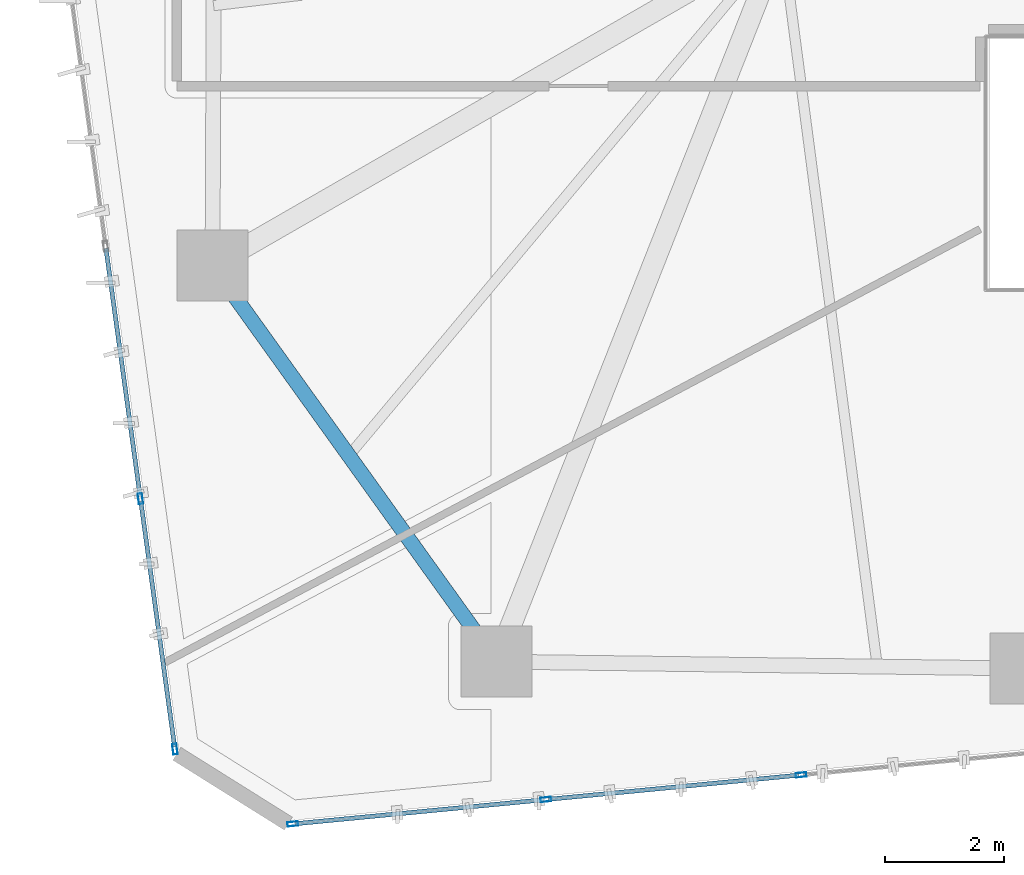
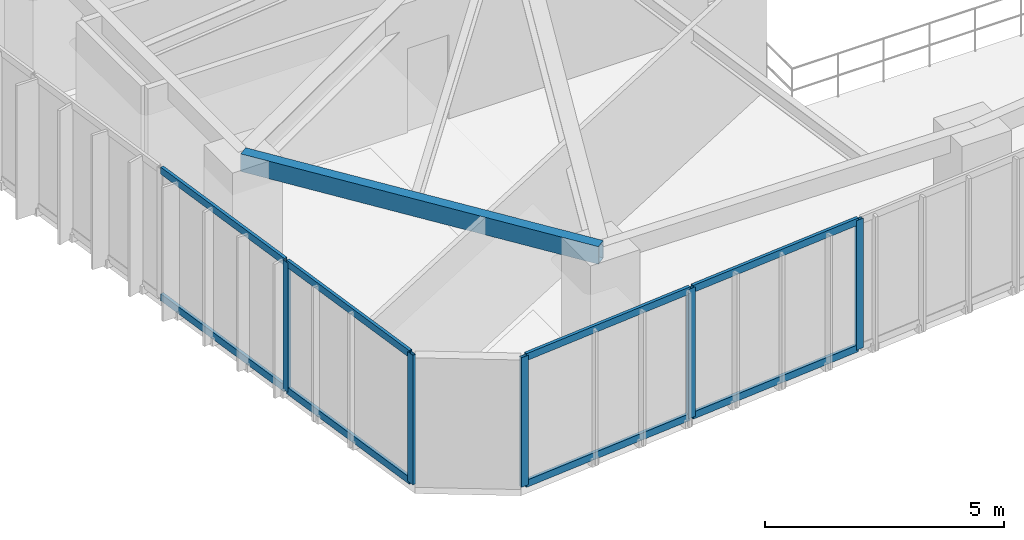
# One storey, part 2 of 22: 13 members, 1 beam, 2 elements without a shape of their own.
"""IFC4 building model written with IfcOpenShell, lengths in metres."""

from ifc_helpers import new_model, si_unit, direction, frame, origin, origin_2d, place, context, subcontext, project, spatial, hollow_rectangle, extrude, source, transform, mapped, material, layer, layer_set, material_profile, profile_set, type_object, type_shapes, element, aggregate, save


model = new_model("IFC4")

# Units and contexts
model_context = context("Model", 3, precision=1e-05, world=origin(), true_north=direction((0.0, 1.0)))
body_context = subcontext(model_context, "Body", "Model", "MODEL_VIEW")
ifc_project = project(units=[si_unit("LENGTHUNIT", "METRE"), si_unit("AREAUNIT", "SQUARE_METRE"), si_unit("VOLUMEUNIT", "CUBIC_METRE"), si_unit("PLANEANGLEUNIT", "RADIAN"), si_unit("MASSUNIT", "GRAM", prefix="KILO")], contexts=[model_context])

# Site, building, storey
site_placement = place(None, origin())
site = spatial("IfcSite", under=ifc_project, at=site_placement, CompositionType="ELEMENT")
building_placement = place(site_placement, origin())
building = spatial("IfcBuilding", under=site, at=building_placement, Name="Talar Marvaseh", CompositionType="ELEMENT")
storey_placement = place(building_placement, frame((0.0, 0.0, 107.39990234375)))
storey = spatial("IfcBuildingStorey", under=building, at=storey_placement, Name="L27", CompositionType="ELEMENT", Elevation=107.39990234375)

# Beam
ifc_material_1 = material(Name="Steel S355", Category="steel")
ifc_material_profile_1 = material_profile(ifc_material_1, hollow_rectangle(XDim=0.25, YDim=0.449951171875, WallThickness=0.01611328125, at=origin_2d()), Name="RHS450x250x16")
ifc_profile_set_1 = profile_set([ifc_material_profile_1], Name="Steel S355")
beam_type = type_object("IfcBeamType", Name="Zone 2 Perimeter Spandrel Beam RHS450x250x16", PredefinedType="SPANDREL", material=ifc_profile_set_1)
beam_placement = place(storey_placement, frame((13.89111328125, 13.299072265625, 3.085205078125), z_axis=(-0.582852871994, 0.812577706812, 0.0), x_axis=(-0.812577706812, -0.582852871994, 0.0)))
element("IfcBeam", 1, at=beam_placement, inside=storey, type_object=beam_type, Name="L27 Zone 2 Perimeter Spandrel Beam RHS450x250x16", PredefinedType="SPANDREL", context=body_context, shape_type="SweptSolid", body=[
    extrude(hollow_rectangle(XDim=0.25, YDim=0.449951171875, WallThickness=0.01611328125, at=origin_2d()), origin(), (0.0, 0.0, 1.0), 8.21826171875),
])

# Curtain wall, members
ifc_material_2 = material(Name="Architectural Aluminium", Category="aluminium")
ifc_layer = layer(ifc_material_2, 0.199951171875)
ifc_layer_set = layer_set([ifc_layer], Name="Architectural Aluminium")
curtain_wall_type = type_object("IfcCurtainWallType", Name="Unitised Acoustic Library Curtain Wall Z2", PredefinedType="NOTDEFINED", material=ifc_layer_set)
curtain_wall_1_placement = place(storey_placement, origin())
curtain_wall_1 = element("IfcCurtainWall", 2, at=curtain_wall_1_placement, inside=storey, type_object=curtain_wall_type, Name="L27 Unitised Acoustic Library Curtain Wall Z2", PredefinedType="NOTDEFINED")
ifc_material_profile_2 = material_profile(ifc_material_2, hollow_rectangle(XDim=0.074951171875, YDim=0.179931640625, WallThickness=0.0048828125, at=origin_2d()), Name="RHS180x75x5")
ifc_profile_set_2 = profile_set([ifc_material_profile_2], Name="Architectural Aluminium")
member_type_1 = type_object("IfcMemberType", Name="Unitised Curtain Wall Standard Mullion RHS180x75x5", PredefinedType="MULLION", material=ifc_profile_set_2)
shared_shape_1 = source(origin(), body_context, "Body", "SweptSolid", [
    extrude(hollow_rectangle(XDim=0.074951171875, YDim=0.179931640625, WallThickness=0.0048828125, at=origin_2d()), origin(), (0.0, 0.0, 1.0), 3.31005859375),
])
type_shapes(member_type_1, [shared_shape_1])
member_1_placement = place(storey_placement, frame((8.46826171875, 11.824951171875, 0.0), z_axis=(0.0, 0.0, 1.0), x_axis=(-0.990638035886, -0.136514767906, 0.0)))
member_1 = element("IfcMember", 3, at=member_1_placement, type_object=member_type_1, Name="CW-Z2 mullion 1", PredefinedType="MULLION", context=body_context, shape_type="MappedRepresentation", body=[
    mapped(shared_shape_1, transform((0.0, 0.0, 0.0), x_axis=(1.0, 0.0, 0.0), y_axis=(0.0, 1.0, 0.0), z_axis=(0.0, 0.0, 1.0), scale=1.0)),
])
member_2_placement = place(storey_placement, frame((7.88671875, 16.04541015625, 0.0), z_axis=(0.0, 0.0, 1.0), x_axis=(-0.990638035886, -0.136514767906, 0.0)))
member_2 = element("IfcMember", 4, at=member_2_placement, type_object=member_type_1, Name="CW-Z2 mullion 2", PredefinedType="MULLION", context=body_context, shape_type="MappedRepresentation", body=[
    mapped(shared_shape_1, transform((0.0, 0.0, 0.0), x_axis=(1.0, 0.0, 0.0), y_axis=(0.0, 1.0, 0.0), z_axis=(0.0, 0.0, 1.0), scale=1.0)),
])

curtain_wall_2_placement = place(storey_placement, origin())
curtain_wall_2 = element("IfcCurtainWall", 5, at=curtain_wall_2_placement, inside=storey, type_object=curtain_wall_type, Name="L27 Unitised Acoustic Library Curtain Wall Z2", PredefinedType="NOTDEFINED")
member_3_placement = place(storey_placement, frame((19.02392578125, 11.389404296875, 0.0), z_axis=(0.0, 0.0, 1.0), x_axis=(0.096000280061, -0.995381306951, 0.0)))
member_3 = element("IfcMember", 6, at=member_3_placement, type_object=member_type_1, Name="CW-Z2 mullion 4", PredefinedType="MULLION", context=body_context, shape_type="MappedRepresentation", body=[
    mapped(shared_shape_1, transform((0.0, 0.0, 0.0), x_axis=(1.0, 0.0, 0.0), y_axis=(0.0, 1.0, 0.0), z_axis=(0.0, 0.0, 1.0), scale=1.0)),
])
member_4_placement = place(storey_placement, frame((14.720458984375, 10.974365234375, 0.0), z_axis=(0.0, 0.0, 1.0), x_axis=(0.096000280061, -0.995381306951, 0.0)))
member_4 = element("IfcMember", 7, at=member_4_placement, type_object=member_type_1, Name="CW-Z2 mullion 5", PredefinedType="MULLION", context=body_context, shape_type="MappedRepresentation", body=[
    mapped(shared_shape_1, transform((0.0, 0.0, 0.0), x_axis=(1.0, 0.0, 0.0), y_axis=(0.0, 1.0, 0.0), z_axis=(0.0, 0.0, 1.0), scale=1.0)),
])
member_5_placement = place(storey_placement, frame((10.454345703125, 10.562744140625, 0.0), z_axis=(0.0, 0.0, 1.0), x_axis=(0.096000280061, -0.995381306951, 0.0)))
member_5 = element("IfcMember", 8, at=member_5_placement, type_object=member_type_1, Name="CW-Z2 mullion 6", PredefinedType="MULLION", context=body_context, shape_type="MappedRepresentation", body=[
    mapped(shared_shape_1, transform((0.0, 0.0, 0.0), x_axis=(1.0, 0.0, 0.0), y_axis=(0.0, 1.0, 0.0), z_axis=(0.0, 0.0, 1.0), scale=1.0)),
])

# Member
ifc_material_profile_3 = material_profile(ifc_material_2, hollow_rectangle(XDim=0.074951171875, YDim=0.179931640625, WallThickness=0.0048828125, at=origin_2d()), Name="RHS180x75x5")
ifc_profile_set_3 = profile_set([ifc_material_profile_3], Name="Architectural Aluminium")
member_type_2 = type_object("IfcMemberType", Name="Unitised Curtain Wall Transom RHS180x75x5", PredefinedType="USERDEFINED", material=ifc_profile_set_3)
shared_shape_2 = source(origin(), body_context, "Body", "SweptSolid", [
    extrude(hollow_rectangle(XDim=0.074951171875, YDim=0.179931640625, WallThickness=0.0048828125, at=origin_2d()), origin(), (0.0, 0.0, 1.0), 4.185302734375),
])
member_6_placement = place(storey_placement, frame((8.463134765625, 11.862060546875, 0.03759765625), z_axis=(-0.136495276961, 0.990640721638, 0.0), x_axis=(-0.990640721638, -0.136495276961, 0.0)))
member_6 = element("IfcMember", 9, at=member_6_placement, type_object=member_type_2, Name="CW-Z2 transom 1.1", ObjectType="TRANSOM", PredefinedType="USERDEFINED", context=body_context, shape_type="MappedRepresentation", body=[
    mapped(shared_shape_2, transform((0.0, 0.0, 0.0), x_axis=(1.0, 0.0, 0.0), y_axis=(0.0, 1.0, 0.0), z_axis=(0.0, 0.0, 1.0), scale=1.0)),
])

member_7_placement = place(storey_placement, frame((8.463134765625, 11.862060546875, 3.272705078125), z_axis=(-0.136495276961, 0.990640721638, 0.0), x_axis=(-0.990640721638, -0.136495276961, 0.0)))
member_7 = element("IfcMember", 10, at=member_7_placement, type_object=member_type_2, Name="CW-Z2 transom 1.2", ObjectType="TRANSOM", PredefinedType="USERDEFINED", context=body_context, shape_type="MappedRepresentation", body=[
    mapped(shared_shape_2, transform((0.0, 0.0, 0.0), x_axis=(1.0, 0.0, 0.0), y_axis=(0.0, 1.0, 0.0), z_axis=(0.0, 0.0, 1.0), scale=1.0)),
])

shared_shape_3 = source(origin(), body_context, "Body", "SweptSolid", [
    extrude(hollow_rectangle(XDim=0.074951171875, YDim=0.179931640625, WallThickness=0.0048828125, at=origin_2d()), origin(), (0.0, 0.0, 1.0), 4.222900390625),
])
member_8_placement = place(storey_placement, frame((7.881591796875, 16.08251953125, 0.03759765625), z_axis=(-0.136498494146, 0.990640278353, 0.0), x_axis=(-0.990640278353, -0.136498494146, 0.0)))
member_8 = element("IfcMember", 11, at=member_8_placement, type_object=member_type_2, Name="CW-Z2 transom 2.1", ObjectType="TRANSOM", PredefinedType="USERDEFINED", context=body_context, shape_type="MappedRepresentation", body=[
    mapped(shared_shape_3, transform((0.0, 0.0, 0.0), x_axis=(1.0, 0.0, 0.0), y_axis=(0.0, 1.0, 0.0), z_axis=(0.0, 0.0, 1.0), scale=1.0)),
])

member_9_placement = place(storey_placement, frame((7.881591796875, 16.08251953125, 3.272705078125), z_axis=(-0.136498494146, 0.990640278353, 0.0), x_axis=(-0.990640278353, -0.136498494146, 0.0)))
member_9 = element("IfcMember", 12, at=member_9_placement, type_object=member_type_2, Name="CW-Z2 transom 2.2", ObjectType="TRANSOM", PredefinedType="USERDEFINED", context=body_context, shape_type="MappedRepresentation", body=[
    mapped(shared_shape_3, transform((0.0, 0.0, 0.0), x_axis=(1.0, 0.0, 0.0), y_axis=(0.0, 1.0, 0.0), z_axis=(0.0, 0.0, 1.0), scale=1.0)),
])

aggregate(curtain_wall_1, [member_1, member_2, member_6, member_7, member_8, member_9])

shared_shape_4 = source(origin(), body_context, "Body", "SweptSolid", [
    extrude(hollow_rectangle(XDim=0.074951171875, YDim=0.179931640625, WallThickness=0.0048828125, at=origin_2d()), origin(), (0.0, 0.0, 1.0), 4.211181640625),
])
member_10_placement = place(storey_placement, frame((14.68310546875, 10.970703125, 0.03759765625), z_axis=(-0.995380624376, -0.096007357095, 0.0), x_axis=(0.096007357095, -0.995380624376, 0.0)))
member_10 = element("IfcMember", 13, at=member_10_placement, type_object=member_type_2, Name="CW-Z2 transom 5.1", ObjectType="TRANSOM", PredefinedType="USERDEFINED", context=body_context, shape_type="MappedRepresentation", body=[
    mapped(shared_shape_4, transform((0.0, 0.0, 0.0), x_axis=(1.0, 0.0, 0.0), y_axis=(0.0, 1.0, 0.0), z_axis=(0.0, 0.0, 1.0), scale=1.0)),
])

member_11_placement = place(storey_placement, frame((14.68310546875, 10.970703125, 3.272705078125), z_axis=(-0.995380624376, -0.096007357095, 0.0), x_axis=(0.096007357095, -0.995380624376, 0.0)))
member_11 = element("IfcMember", 14, at=member_11_placement, type_object=member_type_2, Name="CW-Z2 transom 5.2", ObjectType="TRANSOM", PredefinedType="USERDEFINED", context=body_context, shape_type="MappedRepresentation", body=[
    mapped(shared_shape_4, transform((0.0, 0.0, 0.0), x_axis=(1.0, 0.0, 0.0), y_axis=(0.0, 1.0, 0.0), z_axis=(0.0, 0.0, 1.0), scale=1.0)),
])

shared_shape_5 = source(origin(), body_context, "Body", "SweptSolid", [
    extrude(hollow_rectangle(XDim=0.074951171875, YDim=0.179931640625, WallThickness=0.0048828125, at=origin_2d()), origin(), (0.0, 0.0, 1.0), 4.248291015625),
])
type_shapes(member_type_2, [shared_shape_2, shared_shape_3, shared_shape_4, shared_shape_5])
member_12_placement = place(storey_placement, frame((18.986572265625, 11.3857421875, 0.03759765625), z_axis=(-0.995378761626, -0.096026667668, 0.0), x_axis=(0.096026667668, -0.995378761626, 0.0)))
member_12 = element("IfcMember", 15, at=member_12_placement, type_object=member_type_2, Name="CW-Z2 transom 4.1", ObjectType="TRANSOM", PredefinedType="USERDEFINED", context=body_context, shape_type="MappedRepresentation", body=[
    mapped(shared_shape_5, transform((0.0, 0.0, 0.0), x_axis=(1.0, 0.0, 0.0), y_axis=(0.0, 1.0, 0.0), z_axis=(0.0, 0.0, 1.0), scale=1.0)),
])

member_13_placement = place(storey_placement, frame((18.986572265625, 11.3857421875, 3.272705078125), z_axis=(-0.995378761626, -0.096026667668, 0.0), x_axis=(0.096026667668, -0.995378761626, 0.0)))
member_13 = element("IfcMember", 16, at=member_13_placement, type_object=member_type_2, Name="CW-Z2 transom 4.2", ObjectType="TRANSOM", PredefinedType="USERDEFINED", context=body_context, shape_type="MappedRepresentation", body=[
    mapped(shared_shape_5, transform((0.0, 0.0, 0.0), x_axis=(1.0, 0.0, 0.0), y_axis=(0.0, 1.0, 0.0), z_axis=(0.0, 0.0, 1.0), scale=1.0)),
])

aggregate(curtain_wall_2, [member_3, member_4, member_5, member_12, member_13, member_10, member_11])

save(model, "model.ifc")
